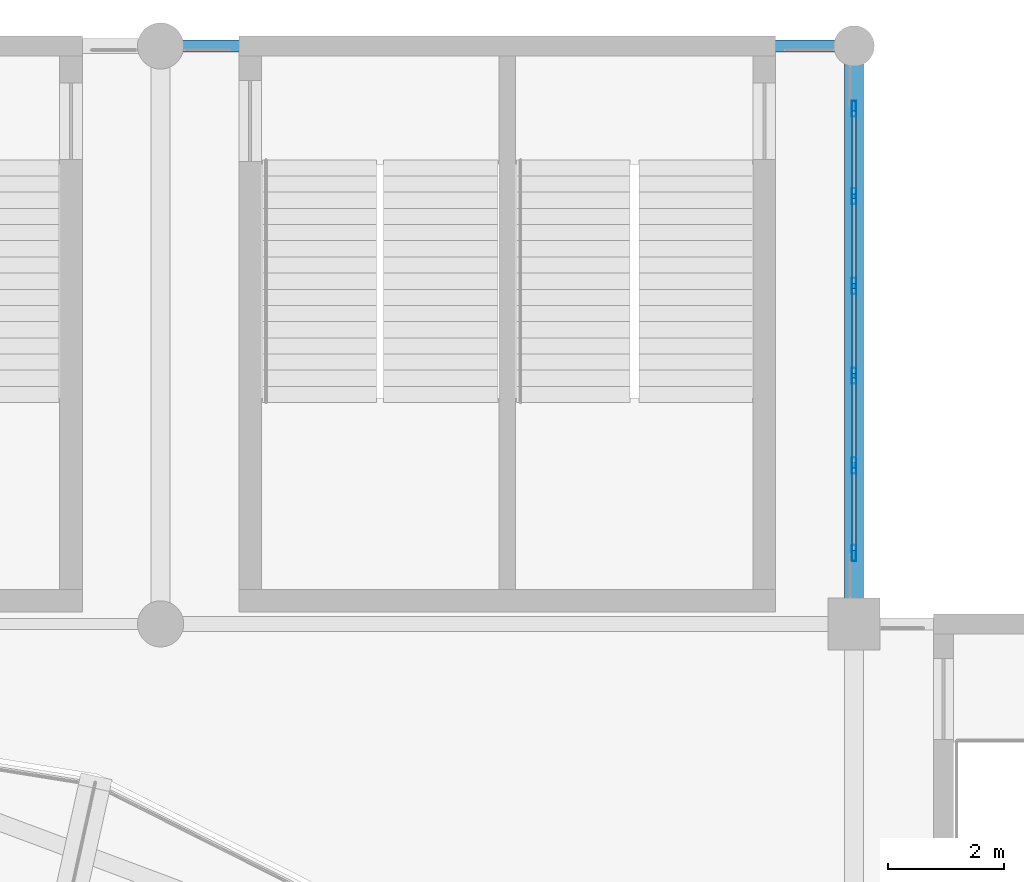
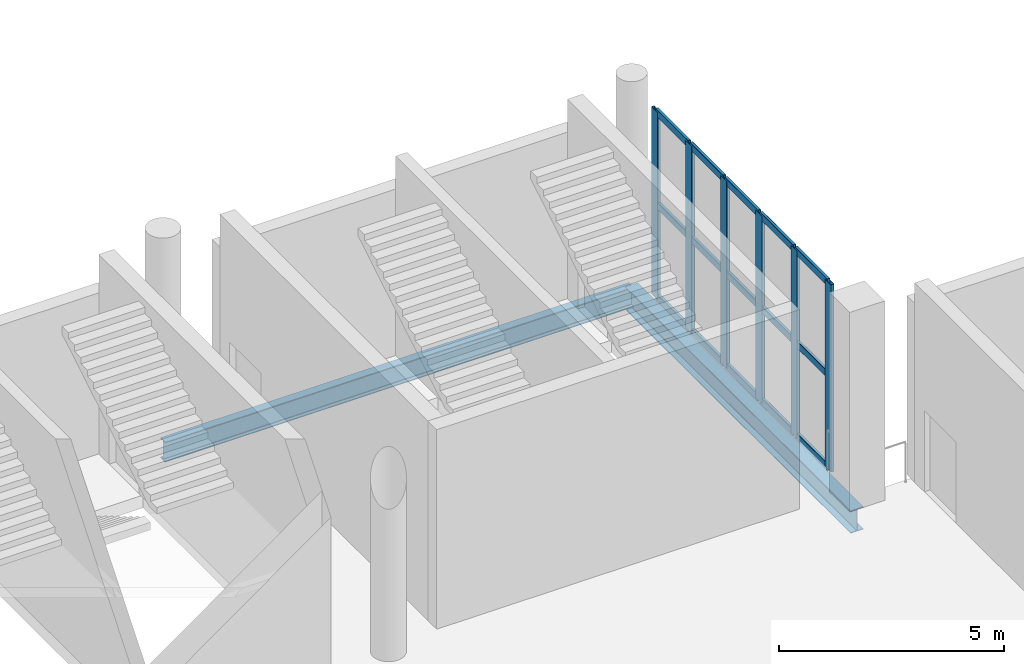
# One storey, part 25 of 74: 21 members, 2 beams, 1 element without a shape of its own.
"""IFC4 building model written with IfcOpenShell, lengths in metres."""

from ifc_helpers import new_model, si_unit, direction, frame, origin, origin_2d, place, context, subcontext, project, spatial, hollow_rectangle, i_section, extrude, material, layer, layer_set, material_profile, profile_set, type_object, element, aggregate, save


model = new_model("IFC4")

# Units and contexts
model_context = context("Model", 3, precision=1e-05, world=origin(), true_north=direction((0.0, 1.0)))
body_context = subcontext(model_context, "Body", "Model", "MODEL_VIEW")
ifc_project = project(units=[si_unit("LENGTHUNIT", "METRE"), si_unit("AREAUNIT", "SQUARE_METRE"), si_unit("VOLUMEUNIT", "CUBIC_METRE"), si_unit("PLANEANGLEUNIT", "RADIAN"), si_unit("MASSUNIT", "GRAM", prefix="KILO")], contexts=[model_context])

# Site, building, storey
site_placement = place(None, origin())
site = spatial("IfcSite", under=ifc_project, at=site_placement, CompositionType="ELEMENT")
building_placement = place(site_placement, origin())
building = spatial("IfcBuilding", under=site, at=building_placement, Name="Brinegate Civic Arena", CompositionType="ELEMENT")
storey_placement = place(building_placement, frame((0.0, 0.0, 19.199951171875)))
storey = spatial("IfcBuildingStorey", under=building, at=storey_placement, Name="L04", CompositionType="ELEMENT", Elevation=19.199951171875)

# Curtain wall, members
ifc_material_1 = material(Name="Marine grade aluminium", Category="aluminium")
ifc_layer = layer(ifc_material_1, 0.235107421875, Name="Marine grade aluminium")
ifc_layer_set = layer_set([ifc_layer], Name="Marine grade aluminium")
curtain_wall_type = type_object("IfcCurtainWallType", Name="CW-PORTAL-NORTH-01", PredefinedType="USERDEFINED", material=ifc_layer_set)
curtain_wall_placement = place(storey_placement, origin())
curtain_wall = element("IfcCurtainWall", 1, at=curtain_wall_placement, inside=storey, type_object=curtain_wall_type, Name="Curtain Wall CWA-149", ObjectType="PORTAL CURTAIN WALL", PredefinedType="USERDEFINED")
ifc_material_profile_1 = material_profile(ifc_material_1, hollow_rectangle(XDim=0.080078125, YDim=0.280029296875, WallThickness=0.007080078125, InnerFilletRadius=0.0048828125, OuterFilletRadius=0.010009765625, at=origin_2d()), Name="MUL80X280")
ifc_profile_set_1 = profile_set([ifc_material_profile_1], Name="Marine grade aluminium")
member_type_1 = type_object("IfcMemberType", Name="CW-MULLION-80X280", PredefinedType="MULLION", material=ifc_profile_set_1)
member_1_placement = place(storey_placement, frame((132.0, 115.22607421875, 0.0), z_axis=(0.0, 0.0, 1.0), x_axis=(-1.0, 0.0, 0.0)))
member_1 = element("IfcMember", 2, at=member_1_placement, type_object=member_type_1, Name="CWA-149 mullion 1", PredefinedType="MULLION", context=body_context, shape_type="SweptSolid", body=[
    extrude(hollow_rectangle(XDim=0.080078125, YDim=0.280029296875, WallThickness=0.007080078125, InnerFilletRadius=0.0048828125, OuterFilletRadius=0.010009765625, at=origin_2d()), origin(), (0.0, 0.0, 1.0), 5.070068359375),
])
member_2_placement = place(storey_placement, frame((132.0, 116.73974609375, 0.0), z_axis=(0.0, 0.0, 1.0), x_axis=(-1.0, 0.0, 0.0)))
member_2 = element("IfcMember", 3, at=member_2_placement, type_object=member_type_1, Name="CWA-149 mullion 2", PredefinedType="MULLION", context=body_context, shape_type="SweptSolid", body=[
    extrude(hollow_rectangle(XDim=0.080078125, YDim=0.280029296875, WallThickness=0.007080078125, InnerFilletRadius=0.0048828125, OuterFilletRadius=0.010009765625, at=origin_2d()), origin(), (0.0, 0.0, 1.0), 5.070068359375),
])
member_3_placement = place(storey_placement, frame((132.0, 118.293701171875, 0.0), z_axis=(0.0, 0.0, 1.0), x_axis=(-1.0, 0.0, 0.0)))
member_3 = element("IfcMember", 4, at=member_3_placement, type_object=member_type_1, Name="CWA-149 mullion 3", PredefinedType="MULLION", context=body_context, shape_type="SweptSolid", body=[
    extrude(hollow_rectangle(XDim=0.080078125, YDim=0.280029296875, WallThickness=0.007080078125, InnerFilletRadius=0.0048828125, OuterFilletRadius=0.010009765625, at=origin_2d()), origin(), (0.0, 0.0, 1.0), 5.070068359375),
])
member_4_placement = place(storey_placement, frame((132.0, 119.847412109375, 0.0), z_axis=(0.0, 0.0, 1.0), x_axis=(-1.0, 0.0, 0.0)))
member_4 = element("IfcMember", 5, at=member_4_placement, type_object=member_type_1, Name="CWA-149 mullion 4", PredefinedType="MULLION", context=body_context, shape_type="SweptSolid", body=[
    extrude(hollow_rectangle(XDim=0.080078125, YDim=0.280029296875, WallThickness=0.007080078125, InnerFilletRadius=0.0048828125, OuterFilletRadius=0.010009765625, at=origin_2d()), origin(), (0.0, 0.0, 1.0), 5.070068359375),
])
member_5_placement = place(storey_placement, frame((132.0, 121.401123046875, 0.0), z_axis=(0.0, 0.0, 1.0), x_axis=(-1.0, 0.0, 0.0)))
member_5 = element("IfcMember", 6, at=member_5_placement, type_object=member_type_1, Name="CWA-149 mullion 5", PredefinedType="MULLION", context=body_context, shape_type="SweptSolid", body=[
    extrude(hollow_rectangle(XDim=0.080078125, YDim=0.280029296875, WallThickness=0.007080078125, InnerFilletRadius=0.0048828125, OuterFilletRadius=0.010009765625, at=origin_2d()), origin(), (0.0, 0.0, 1.0), 5.070068359375),
])
member_6_placement = place(storey_placement, frame((132.0, 122.9150390625, 0.0), z_axis=(0.0, 0.0, 1.0), x_axis=(-1.0, 0.0, 0.0)))
member_6 = element("IfcMember", 7, at=member_6_placement, type_object=member_type_1, Name="CWA-149 mullion 6", PredefinedType="MULLION", context=body_context, shape_type="SweptSolid", body=[
    extrude(hollow_rectangle(XDim=0.080078125, YDim=0.280029296875, WallThickness=0.007080078125, InnerFilletRadius=0.0048828125, OuterFilletRadius=0.010009765625, at=origin_2d()), origin(), (0.0, 0.0, 1.0), 5.070068359375),
])
ifc_material_profile_2 = material_profile(ifc_material_1, hollow_rectangle(XDim=0.074951171875, YDim=0.18994140625, WallThickness=0.006103515625, InnerFilletRadius=0.00390625, OuterFilletRadius=0.008056640625, at=origin_2d()), Name="TRN75X190")
ifc_profile_set_2 = profile_set([ifc_material_profile_2], Name="Marine grade aluminium")
member_type_2 = type_object("IfcMemberType", Name="CW-TRANSOM-75X190", PredefinedType="USERDEFINED", material=ifc_profile_set_2)
member_7_placement = place(storey_placement, frame((132.0, 115.26611328125, 0.03759765625), z_axis=(0.0, 1.0, 0.0), x_axis=(-1.0, 0.0, 0.0)))
member_7 = element("IfcMember", 8, at=member_7_placement, type_object=member_type_2, Name="CWA-149 transom 1.1", ObjectType="TRANSOM", PredefinedType="USERDEFINED", context=body_context, shape_type="SweptSolid", body=[
    extrude(hollow_rectangle(XDim=0.074951171875, YDim=0.18994140625, WallThickness=0.006103515625, InnerFilletRadius=0.00390625, OuterFilletRadius=0.008056640625, at=origin_2d()), origin(), (0.0, 0.0, 1.0), 1.43359375),
])
member_8_placement = place(storey_placement, frame((132.0, 115.26611328125, 2.53515625), z_axis=(0.0, 1.0, 0.0), x_axis=(-1.0, 0.0, 0.0)))
member_8 = element("IfcMember", 9, at=member_8_placement, type_object=member_type_2, Name="CWA-149 transom 1.2", ObjectType="TRANSOM", PredefinedType="USERDEFINED", context=body_context, shape_type="SweptSolid", body=[
    extrude(hollow_rectangle(XDim=0.074951171875, YDim=0.18994140625, WallThickness=0.006103515625, InnerFilletRadius=0.00390625, OuterFilletRadius=0.008056640625, at=origin_2d()), origin(), (0.0, 0.0, 1.0), 1.43359375),
])
member_9_placement = place(storey_placement, frame((132.0, 115.26611328125, 5.032470703125), z_axis=(0.0, 1.0, 0.0), x_axis=(-1.0, 0.0, 0.0)))
member_9 = element("IfcMember", 10, at=member_9_placement, type_object=member_type_2, Name="CWA-149 transom 1.3", ObjectType="TRANSOM", PredefinedType="USERDEFINED", context=body_context, shape_type="SweptSolid", body=[
    extrude(hollow_rectangle(XDim=0.074951171875, YDim=0.18994140625, WallThickness=0.006103515625, InnerFilletRadius=0.00390625, OuterFilletRadius=0.008056640625, at=origin_2d()), origin(), (0.0, 0.0, 1.0), 1.43359375),
])
member_10_placement = place(storey_placement, frame((132.0, 116.77978515625, 0.03759765625), z_axis=(0.0, 1.0, 0.0), x_axis=(-1.0, 0.0, 0.0)))
member_10 = element("IfcMember", 11, at=member_10_placement, type_object=member_type_2, Name="CWA-149 transom 2.1", ObjectType="TRANSOM", PredefinedType="USERDEFINED", context=body_context, shape_type="SweptSolid", body=[
    extrude(hollow_rectangle(XDim=0.074951171875, YDim=0.18994140625, WallThickness=0.006103515625, InnerFilletRadius=0.00390625, OuterFilletRadius=0.008056640625, at=origin_2d()), origin(), (0.0, 0.0, 1.0), 1.473876953125),
])
member_11_placement = place(storey_placement, frame((132.0, 116.77978515625, 2.53515625), z_axis=(0.0, 1.0, 0.0), x_axis=(-1.0, 0.0, 0.0)))
member_11 = element("IfcMember", 12, at=member_11_placement, type_object=member_type_2, Name="CWA-149 transom 2.2", ObjectType="TRANSOM", PredefinedType="USERDEFINED", context=body_context, shape_type="SweptSolid", body=[
    extrude(hollow_rectangle(XDim=0.074951171875, YDim=0.18994140625, WallThickness=0.006103515625, InnerFilletRadius=0.00390625, OuterFilletRadius=0.008056640625, at=origin_2d()), origin(), (0.0, 0.0, 1.0), 1.473876953125),
])
member_12_placement = place(storey_placement, frame((132.0, 116.77978515625, 5.032470703125), z_axis=(0.0, 1.0, 0.0), x_axis=(-1.0, 0.0, 0.0)))
member_12 = element("IfcMember", 13, at=member_12_placement, type_object=member_type_2, Name="CWA-149 transom 2.3", ObjectType="TRANSOM", PredefinedType="USERDEFINED", context=body_context, shape_type="SweptSolid", body=[
    extrude(hollow_rectangle(XDim=0.074951171875, YDim=0.18994140625, WallThickness=0.006103515625, InnerFilletRadius=0.00390625, OuterFilletRadius=0.008056640625, at=origin_2d()), origin(), (0.0, 0.0, 1.0), 1.473876953125),
])
member_13_placement = place(storey_placement, frame((132.0, 118.33349609375, 0.03759765625), z_axis=(0.0, 1.0, 0.0), x_axis=(-1.0, 0.0, 0.0)))
member_13 = element("IfcMember", 14, at=member_13_placement, type_object=member_type_2, Name="CWA-149 transom 3.1", ObjectType="TRANSOM", PredefinedType="USERDEFINED", context=body_context, shape_type="SweptSolid", body=[
    extrude(hollow_rectangle(XDim=0.074951171875, YDim=0.18994140625, WallThickness=0.006103515625, InnerFilletRadius=0.00390625, OuterFilletRadius=0.008056640625, at=origin_2d()), origin(), (0.0, 0.0, 1.0), 1.473876953125),
])
member_14_placement = place(storey_placement, frame((132.0, 118.33349609375, 2.53515625), z_axis=(0.0, 1.0, 0.0), x_axis=(-1.0, 0.0, 0.0)))
member_14 = element("IfcMember", 15, at=member_14_placement, type_object=member_type_2, Name="CWA-149 transom 3.2", ObjectType="TRANSOM", PredefinedType="USERDEFINED", context=body_context, shape_type="SweptSolid", body=[
    extrude(hollow_rectangle(XDim=0.074951171875, YDim=0.18994140625, WallThickness=0.006103515625, InnerFilletRadius=0.00390625, OuterFilletRadius=0.008056640625, at=origin_2d()), origin(), (0.0, 0.0, 1.0), 1.473876953125),
])
member_15_placement = place(storey_placement, frame((132.0, 118.33349609375, 5.032470703125), z_axis=(0.0, 1.0, 0.0), x_axis=(-1.0, 0.0, 0.0)))
member_15 = element("IfcMember", 16, at=member_15_placement, type_object=member_type_2, Name="CWA-149 transom 3.3", ObjectType="TRANSOM", PredefinedType="USERDEFINED", context=body_context, shape_type="SweptSolid", body=[
    extrude(hollow_rectangle(XDim=0.074951171875, YDim=0.18994140625, WallThickness=0.006103515625, InnerFilletRadius=0.00390625, OuterFilletRadius=0.008056640625, at=origin_2d()), origin(), (0.0, 0.0, 1.0), 1.473876953125),
])
member_16_placement = place(storey_placement, frame((132.0, 119.887451171875, 0.03759765625), z_axis=(0.0, 1.0, 0.0), x_axis=(-1.0, 0.0, 0.0)))
member_16 = element("IfcMember", 17, at=member_16_placement, type_object=member_type_2, Name="CWA-149 transom 4.1", ObjectType="TRANSOM", PredefinedType="USERDEFINED", context=body_context, shape_type="SweptSolid", body=[
    extrude(hollow_rectangle(XDim=0.074951171875, YDim=0.18994140625, WallThickness=0.006103515625, InnerFilletRadius=0.00390625, OuterFilletRadius=0.008056640625, at=origin_2d()), origin(), (0.0, 0.0, 1.0), 1.4736328125),
])
member_17_placement = place(storey_placement, frame((132.0, 119.887451171875, 2.53515625), z_axis=(0.0, 1.0, 0.0), x_axis=(-1.0, 0.0, 0.0)))
member_17 = element("IfcMember", 18, at=member_17_placement, type_object=member_type_2, Name="CWA-149 transom 4.2", ObjectType="TRANSOM", PredefinedType="USERDEFINED", context=body_context, shape_type="SweptSolid", body=[
    extrude(hollow_rectangle(XDim=0.074951171875, YDim=0.18994140625, WallThickness=0.006103515625, InnerFilletRadius=0.00390625, OuterFilletRadius=0.008056640625, at=origin_2d()), origin(), (0.0, 0.0, 1.0), 1.4736328125),
])
member_18_placement = place(storey_placement, frame((132.0, 119.887451171875, 5.032470703125), z_axis=(0.0, 1.0, 0.0), x_axis=(-1.0, 0.0, 0.0)))
member_18 = element("IfcMember", 19, at=member_18_placement, type_object=member_type_2, Name="CWA-149 transom 4.3", ObjectType="TRANSOM", PredefinedType="USERDEFINED", context=body_context, shape_type="SweptSolid", body=[
    extrude(hollow_rectangle(XDim=0.074951171875, YDim=0.18994140625, WallThickness=0.006103515625, InnerFilletRadius=0.00390625, OuterFilletRadius=0.008056640625, at=origin_2d()), origin(), (0.0, 0.0, 1.0), 1.4736328125),
])
member_19_placement = place(storey_placement, frame((132.0, 121.441162109375, 0.03759765625), z_axis=(0.0, 1.0, 0.0), x_axis=(-1.0, 0.0, 0.0)))
member_19 = element("IfcMember", 20, at=member_19_placement, type_object=member_type_2, Name="CWA-149 transom 5.1", ObjectType="TRANSOM", PredefinedType="USERDEFINED", context=body_context, shape_type="SweptSolid", body=[
    extrude(hollow_rectangle(XDim=0.074951171875, YDim=0.18994140625, WallThickness=0.006103515625, InnerFilletRadius=0.00390625, OuterFilletRadius=0.008056640625, at=origin_2d()), origin(), (0.0, 0.0, 1.0), 1.433837890625),
])
member_20_placement = place(storey_placement, frame((132.0, 121.441162109375, 2.53515625), z_axis=(0.0, 1.0, 0.0), x_axis=(-1.0, 0.0, 0.0)))
member_20 = element("IfcMember", 21, at=member_20_placement, type_object=member_type_2, Name="CWA-149 transom 5.2", ObjectType="TRANSOM", PredefinedType="USERDEFINED", context=body_context, shape_type="SweptSolid", body=[
    extrude(hollow_rectangle(XDim=0.074951171875, YDim=0.18994140625, WallThickness=0.006103515625, InnerFilletRadius=0.00390625, OuterFilletRadius=0.008056640625, at=origin_2d()), origin(), (0.0, 0.0, 1.0), 1.433837890625),
])
member_21_placement = place(storey_placement, frame((132.0, 121.441162109375, 5.032470703125), z_axis=(0.0, 1.0, 0.0), x_axis=(-1.0, 0.0, 0.0)))
member_21 = element("IfcMember", 22, at=member_21_placement, type_object=member_type_2, Name="CWA-149 transom 5.3", ObjectType="TRANSOM", PredefinedType="USERDEFINED", context=body_context, shape_type="SweptSolid", body=[
    extrude(hollow_rectangle(XDim=0.074951171875, YDim=0.18994140625, WallThickness=0.006103515625, InnerFilletRadius=0.00390625, OuterFilletRadius=0.008056640625, at=origin_2d()), origin(), (0.0, 0.0, 1.0), 1.433837890625),
])
aggregate(curtain_wall, [member_1, member_2, member_3, member_4, member_5, member_6, member_7, member_8, member_9, member_10, member_11, member_12, member_13, member_14, member_15, member_16, member_17, member_18, member_19, member_20, member_21])

# Beams
ifc_material_2 = material(Name="Steel S355", Category="steel")
ifc_material_profile_3 = material_profile(ifc_material_2, i_section(OverallWidth=0.324951171875, OverallDepth=0.615966796875, WebThickness=0.013916015625, FlangeThickness=0.02197265625, FilletRadius=0.01611328125, at=origin_2d()), Name="W610X174")
ifc_profile_set_3 = profile_set([ifc_material_profile_3], Name="Steel S355")
beam_type_1 = type_object("IfcBeamType", Name="GIRDER-W610X174", PredefinedType="BEAM", material=ifc_profile_set_3)
beam_1_placement = place(storey_placement, frame((132.0, 114.0, -0.64794921875), z_axis=(0.0, 1.0, 0.0), x_axis=(-1.0, 0.0, 0.0)))
element("IfcBeam", 23, at=beam_1_placement, inside=storey, type_object=beam_type_1, Name="Floor Girder BM-L04-GY-11-11", PredefinedType="BEAM", context=body_context, shape_type="SweptSolid", body=[
    extrude(i_section(OverallWidth=0.324951171875, OverallDepth=0.615966796875, WebThickness=0.013916015625, FlangeThickness=0.02197265625, FilletRadius=0.01611328125, at=origin_2d()), origin(), (0.0, 0.0, 1.0), 10.0),
])
ifc_material_profile_4 = material_profile(ifc_material_2, i_section(OverallWidth=0.2119140625, OverallDepth=0.5439453125, WebThickness=0.012939453125, FlangeThickness=0.02099609375, FilletRadius=0.01611328125, at=origin_2d()), Name="W530X123")
ifc_profile_set_4 = profile_set([ifc_material_profile_4], Name="Steel S355")
beam_type_2 = type_object("IfcBeamType", Name="SPANDREL-W530X123", PredefinedType="SPANDREL", material=ifc_profile_set_4)
beam_2_placement = place(storey_placement, frame((120.0, 124.0, -0.612060546875), z_axis=(1.0, 0.0, 0.0), x_axis=(0.0, 1.0, 0.0)))
element("IfcBeam", 24, at=beam_2_placement, inside=storey, type_object=beam_type_2, Name="Floor Girder BM-L04-GX-10-12", PredefinedType="SPANDREL", context=body_context, shape_type="SweptSolid", body=[
    extrude(i_section(OverallWidth=0.2119140625, OverallDepth=0.5439453125, WebThickness=0.012939453125, FlangeThickness=0.02099609375, FilletRadius=0.01611328125, at=origin_2d()), origin(), (0.0, 0.0, 1.0), 12.0),
])

save(model, "model.ifc")
